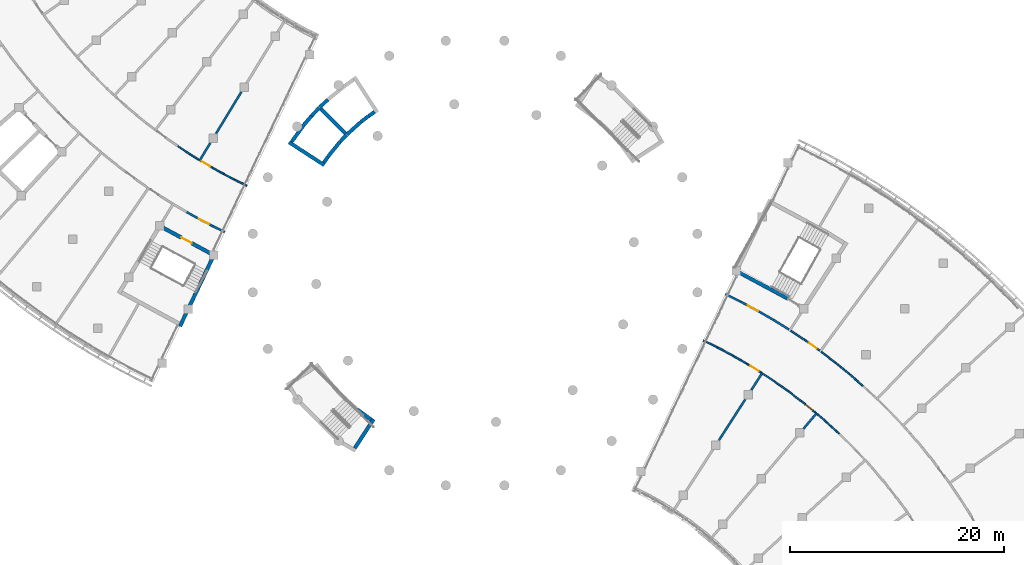
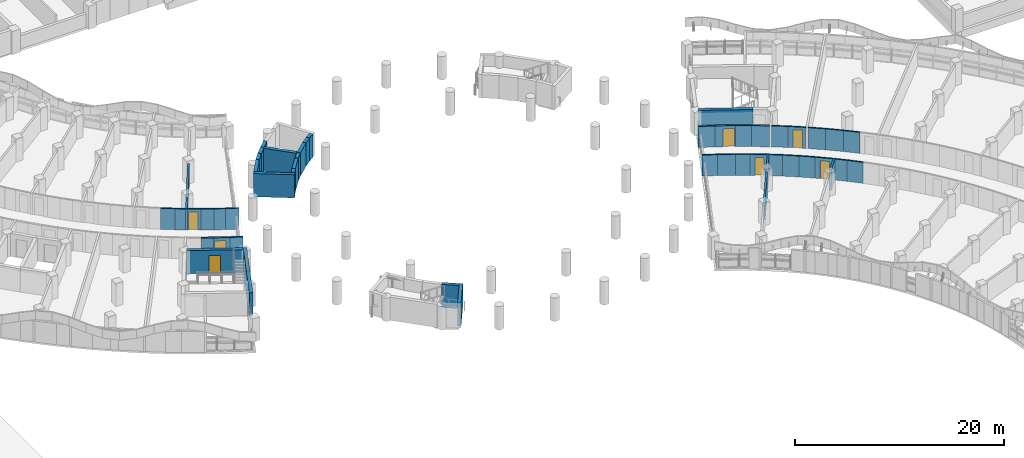
# One storey, part 40 of 89: 50 walls, 7 doors, 7 openings.
"""IFC4 building model written with IfcOpenShell, lengths in metres."""

from ifc_helpers import new_model, si_unit, direction, frame, frame_2d, origin, place, context, subcontext, project, spatial, rectangle, extrude, material, layer, layer_set, type_object, element, fill, save


model = new_model("IFC4")

# Units and contexts
model_context = context("Model", 3, precision=1e-05, world=origin(), true_north=direction((0.0, 1.0)))
body_context = subcontext(model_context, "Body", "Model", "MODEL_VIEW")
ifc_project = project(units=[si_unit("LENGTHUNIT", "METRE"), si_unit("AREAUNIT", "SQUARE_METRE"), si_unit("VOLUMEUNIT", "CUBIC_METRE"), si_unit("PLANEANGLEUNIT", "RADIAN"), si_unit("MASSUNIT", "GRAM", prefix="KILO")], contexts=[model_context])

# Site, building, storey
site_placement = place(None, origin())
site = spatial("IfcSite", under=ifc_project, at=site_placement, CompositionType="ELEMENT")
building_placement = place(site_placement, origin())
building = spatial("IfcBuilding", under=site, at=building_placement, Name="Bougainvillea Quay General Hospital", CompositionType="ELEMENT")
storey_placement = place(building_placement, frame((0.0, 0.0, 9.89990234375)))
storey = spatial("IfcBuildingStorey", under=building, at=storey_placement, Name="L01M", CompositionType="ELEMENT", Elevation=9.89990234375)

# Wall, opening, door
ifc_material_1 = material(Name="Gypsum board partition on steel studs, insulated", Category="steel")
ifc_layer_1 = layer(ifc_material_1, 0.14990234375)
ifc_layer_set_1 = layer_set([ifc_layer_1], Name="Gypsum board partition on steel studs, insulated")
wall_type_1 = type_object("IfcWallType", Name="Partition 150 Gypsum board partition EI 60", PredefinedType="PARTITIONING", material=ifc_layer_set_1)
wall_1_placement = place(storey_placement, frame((139.75, 61.074462890625, 0.0), z_axis=(0.0, 0.0, 1.0), x_axis=(0.774766206627, -0.632247835163, 0.0)))
wall_1 = element("IfcWall", 1, at=wall_1_placement, inside=storey, type_object=wall_type_1, Name="Partition 150 mm EI 60", PredefinedType="PARTITIONING", context=body_context, shape_type="SweptSolid", body=[
    extrude(rectangle(XDim=1.719970703125, YDim=0.14990234375, at=frame_2d((0.85986328125, 0.0))), origin(), (0.0, 0.0, 1.0), 2.4501953125),
])
opening_1_placement = place(wall_1_placement, frame((0.498046875, 0.0, 0.0)))
opening_1 = element("IfcOpeningElement", 2, at=opening_1_placement, cuts=wall_1, Name="Opening L01M.194", PredefinedType="OPENING", context=body_context, shape_type="SweptSolid", body=[
    extrude(rectangle(XDim=0.89990234375, YDim=2.10009765625, at=frame_2d((0.449951171875, 1.050048828125))), frame((0.0, 0.0849609375, 0.0), z_axis=(0.0, -1.0, 0.0), x_axis=(1.0, 0.0, 0.0)), (0.0, 0.0, 1.0), 0.169921875),
])
ifc_material_2 = material(Name="Solid-core timber door leaf in steel frame", Category="steel")
door_type_1 = type_object("IfcDoorType", Name="Single leaf door 900x2100 FD30S", OperationType="NOTDEFINED", PredefinedType="DOOR", material=ifc_material_2)
door_1_placement = place(opening_1_placement, frame((0.89990234375, 0.0, 0.0), z_axis=(0.0, 0.0, 1.0), x_axis=(-1.0, 0.0, 0.0)))
door_1 = element("IfcDoor", 3, at=door_1_placement, inside=storey, type_object=door_type_1, Name="DT16 L01M.194", OperationType="SINGLE_SWING_LEFT", OverallHeight=2.10009765625, OverallWidth=0.89990234375, PredefinedType="DOOR", context=body_context, shape_type="SweptSolid", body=[
    extrude(rectangle(XDim=0.89990234375, YDim=2.10009765625, at=frame_2d((0.449951171875, 1.050048828125))), frame((0.0, 0.02490234375, 0.0), z_axis=(0.0, -1.0, 0.0), x_axis=(1.0, 0.0, 0.0)), (0.0, 0.0, 1.0), 0.050048828125),
])
fill(opening_1, door_1)

# Walls
wall_2_placement = place(storey_placement, frame((141.612548828125, 65.68798828125, 0.0), z_axis=(0.0, 0.0, 1.0), x_axis=(0.79450758561, -0.607254227164, 0.0)))
element("IfcWall", 4, at=wall_2_placement, inside=storey, type_object=wall_type_1, Name="Partition 150 mm EI 60", PredefinedType="PARTITIONING", context=body_context, shape_type="SweptSolid", body=[
    extrude(rectangle(XDim=1.7119140625, YDim=0.14990234375, at=frame_2d((0.85595703125, 0.0))), origin(), (0.0, 0.0, 1.0), 2.4501953125),
])
wall_3_placement = place(storey_placement, frame((142.96923828125, 64.64794921875, 0.0), z_axis=(0.0, 0.0, 1.0), x_axis=(0.774982699897, -0.631982448221, 0.0)))
element("IfcWall", 5, at=wall_3_placement, inside=storey, type_object=wall_type_1, Name="Partition 150 mm EI 60", PredefinedType="PARTITIONING", context=body_context, shape_type="SweptSolid", body=[
    extrude(rectangle(XDim=1.738037109375, YDim=0.14990234375, at=frame_2d((0.869140625, 0.0))), origin(), (0.0, 0.0, 1.0), 2.4501953125),
])

# Wall, opening, door
wall_4_placement = place(storey_placement, frame((140.06103515625, 66.800537109375, 0.0), z_axis=(0.0, 0.0, 1.0), x_axis=(0.813617801152, -0.581400097737, 0.0)))
wall_4 = element("IfcWall", 6, at=wall_4_placement, inside=storey, type_object=wall_type_1, Name="Partition 150 mm EI 60", PredefinedType="PARTITIONING", context=body_context, shape_type="SweptSolid", body=[
    extrude(rectangle(XDim=1.711669921875, YDim=0.14990234375, at=frame_2d((0.85595703125, 0.0))), origin(), (0.0, 0.0, 1.0), 2.4501953125),
])
opening_2_placement = place(wall_4_placement, frame((0.49267578125, 0.0, 0.0)))
opening_2 = element("IfcOpeningElement", 7, at=opening_2_placement, cuts=wall_4, Name="Opening L01M.187", PredefinedType="OPENING", context=body_context, shape_type="SweptSolid", body=[
    extrude(rectangle(XDim=0.89990234375, YDim=2.10009765625, at=frame_2d((0.449951171875, 1.050048828125))), frame((0.0, 0.0849609375, 0.0), z_axis=(0.0, -1.0, 0.0), x_axis=(1.0, 0.0, 0.0)), (0.0, 0.0, 1.0), 0.169921875),
])
door_2_placement = place(opening_2_placement, origin())
door_2 = element("IfcDoor", 8, at=door_2_placement, inside=storey, type_object=door_type_1, Name="DT16 L01M.187", OperationType="SINGLE_SWING_RIGHT", OverallHeight=2.10009765625, OverallWidth=0.89990234375, PredefinedType="DOOR", context=body_context, shape_type="SweptSolid", body=[
    extrude(rectangle(XDim=0.89990234375, YDim=2.10009765625, at=frame_2d((0.449951171875, 1.050048828125))), frame((0.0, 0.02490234375, 0.0), z_axis=(0.0, -1.0, 0.0), x_axis=(1.0, 0.0, 0.0)), (0.0, 0.0, 1.0), 0.050048828125),
])
fill(opening_2, door_2)

# Walls
wall_5_placement = place(storey_placement, frame((138.76416015625, 67.6640625, 0.0), z_axis=(0.0, 0.0, 1.0), x_axis=(0.831520299658, -0.555494366539, 0.0)))
element("IfcWall", 9, at=wall_5_placement, inside=storey, type_object=wall_type_1, Name="Partition 150 mm EI 60", PredefinedType="PARTITIONING", context=body_context, shape_type="SweptSolid", body=[
    extrude(rectangle(XDim=1.560302734375, YDim=0.14990234375, at=frame_2d((0.7802734375, 0.0))), origin(), (0.0, 0.0, 1.0), 2.4501953125),
])
wall_6_placement = place(storey_placement, frame((144.312744140625, 63.54931640625, 0.0), z_axis=(0.0, 0.0, 1.0), x_axis=(0.754390611031, -0.656425781021, 0.0)))
element("IfcWall", 10, at=wall_6_placement, inside=storey, type_object=wall_type_1, Name="Partition 150 mm EI 60", PredefinedType="PARTITIONING", context=body_context, shape_type="SweptSolid", body=[
    extrude(rectangle(XDim=1.590087890625, YDim=0.14990234375, at=frame_2d((0.794921875, 0.0))), origin(), (0.0, 0.0, 1.0), 2.4501953125),
])

# Wall, opening, door
wall_7_placement = place(storey_placement, frame((134.609375, 64.59765625, 0.0), z_axis=(0.0, 0.0, 1.0), x_axis=(0.848764734554, -0.528770673711, 0.0)))
wall_7 = element("IfcWall", 11, at=wall_7_placement, inside=storey, type_object=wall_type_1, Name="Partition 150 mm EI 60", PredefinedType="PARTITIONING", context=body_context, shape_type="SweptSolid", body=[
    extrude(rectangle(XDim=1.626708984375, YDim=0.14990234375, at=frame_2d((0.8134765625, 0.0))), origin(), (0.0, 0.0, 1.0), 2.4501953125),
])
opening_3_placement = place(wall_7_placement, frame((0.451416015625, 0.0, 0.0)))
opening_3 = element("IfcOpeningElement", 12, at=opening_3_placement, cuts=wall_7, Name="Opening L01M.193", PredefinedType="OPENING", context=body_context, shape_type="SweptSolid", body=[
    extrude(rectangle(XDim=0.89990234375, YDim=2.10009765625, at=frame_2d((0.449951171875, 1.050048828125))), frame((0.0, 0.0849609375, 0.0), z_axis=(0.0, -1.0, 0.0), x_axis=(1.0, 0.0, 0.0)), (0.0, 0.0, 1.0), 0.169921875),
])
door_3_placement = place(opening_3_placement, frame((0.89990234375, 0.0, 0.0), z_axis=(0.0, 0.0, 1.0), x_axis=(-1.0, 0.0, 0.0)))
door_3 = element("IfcDoor", 13, at=door_3_placement, inside=storey, type_object=door_type_1, Name="DT16 L01M.193", OperationType="SINGLE_SWING_LEFT", OverallHeight=2.10009765625, OverallWidth=0.89990234375, PredefinedType="DOOR", context=body_context, shape_type="SweptSolid", body=[
    extrude(rectangle(XDim=0.89990234375, YDim=2.10009765625, at=frame_2d((0.449951171875, 1.050048828125))), frame((0.0, 0.02490234375, 0.0), z_axis=(0.0, -1.0, 0.0), x_axis=(1.0, 0.0, 0.0)), (0.0, 0.0, 1.0), 0.050048828125),
])
fill(opening_3, door_3)

# Walls
wall_8_placement = place(storey_placement, frame((138.50634765625, 62.015380859375, 0.0), z_axis=(0.0, 0.0, 1.0), x_axis=(0.7964030968, -0.604766159278, 0.0)))
element("IfcWall", 14, at=wall_8_placement, inside=storey, type_object=wall_type_1, Name="Partition 150 mm EI 60", PredefinedType="PARTITIONING", context=body_context, shape_type="SweptSolid", body=[
    extrude(rectangle(XDim=1.56201171875, YDim=0.14990234375, at=frame_2d((0.781005859375, 0.0))), origin(), (0.0, 0.0, 1.0), 2.4501953125),
])
wall_9_placement = place(storey_placement, frame((131.8828125, 66.110595703125, 0.0), z_axis=(0.0, 0.0, 1.0), x_axis=(0.881203803206, -0.472736562174, 0.0)))
element("IfcWall", 15, at=wall_9_placement, inside=storey, type_object=wall_type_1, Name="Partition 150 mm EI 60", PredefinedType="PARTITIONING", context=body_context, shape_type="SweptSolid", body=[
    extrude(rectangle(XDim=1.70947265625, YDim=0.14990234375, at=frame_2d((0.854736328125, 0.0))), origin(), (0.0, 0.0, 1.0), 2.4501953125),
])
wall_10_placement = place(storey_placement, frame((133.385986328125, 65.301513671875, 0.0), z_axis=(0.0, 0.0, 1.0), x_axis=(0.865863410923, -0.500280474959, 0.0)))
element("IfcWall", 16, at=wall_10_placement, inside=storey, type_object=wall_type_1, Name="Partition 150 mm EI 60", PredefinedType="PARTITIONING", context=body_context, shape_type="SweptSolid", body=[
    extrude(rectangle(XDim=1.413818359375, YDim=0.14990234375, at=frame_2d((0.70703125, 0.0))), origin(), (0.0, 0.0, 1.0), 2.4501953125),
])
wall_11_placement = place(storey_placement, frame((142.143798828125, 59.076904296875, 0.0), z_axis=(0.0, 0.0, 1.0), x_axis=(0.735666067582, -0.677344400588, 0.0)))
element("IfcWall", 17, at=wall_11_placement, inside=storey, type_object=wall_type_1, Name="Partition 150 mm EI 60", PredefinedType="PARTITIONING", context=body_context, shape_type="SweptSolid", body=[
    extrude(rectangle(XDim=1.5615234375, YDim=0.14990234375, at=frame_2d((0.78076171875, 0.0))), origin(), (0.0, 0.0, 1.0), 2.4501953125),
])
wall_12_placement = place(storey_placement, frame((130.552978515625, 66.76806640625, 0.0), z_axis=(0.0, 0.0, 1.0), x_axis=(0.895705209278, -0.444648375767, 0.0)))
element("IfcWall", 18, at=wall_12_placement, inside=storey, type_object=wall_type_1, Name="Partition 150 mm EI 60", PredefinedType="PARTITIONING", context=body_context, shape_type="SweptSolid", body=[
    extrude(rectangle(XDim=1.48583984375, YDim=0.14990234375, at=frame_2d((0.742919921875, 0.0))), origin(), (0.0, 0.0, 1.0), 2.4501953125),
])
wall_13_placement = place(storey_placement, frame((137.23486328125, 62.91650390625, 0.0), z_axis=(0.0, 0.0, 1.0), x_axis=(0.814968460536, -0.579505313462, 0.0)))
element("IfcWall", 19, at=wall_13_placement, inside=storey, type_object=wall_type_1, Name="Partition 150 mm EI 60", PredefinedType="PARTITIONING", context=body_context, shape_type="SweptSolid", body=[
    extrude(rectangle(XDim=1.560546875, YDim=0.14990234375, at=frame_2d((0.7802734375, 0.0))), origin(), (0.0, 0.0, 1.0), 2.4501953125),
])
wall_14_placement = place(storey_placement, frame((136.16015625, 63.628173828125, 0.0), z_axis=(0.0, 0.0, 1.0), x_axis=(0.832747809915, -0.553652494875, 0.0)))
element("IfcWall", 20, at=wall_14_placement, inside=storey, type_object=wall_type_1, Name="Partition 150 mm EI 60", PredefinedType="PARTITIONING", context=body_context, shape_type="SweptSolid", body=[
    extrude(rectangle(XDim=1.291259765625, YDim=0.14990234375, at=frame_2d((0.6455078125, 0.0))), origin(), (0.0, 0.0, 1.0), 2.4501953125),
])
wall_15_placement = place(storey_placement, frame((141.2373046875, 59.85693359375, 0.0), z_axis=(0.0, 0.0, 1.0), x_axis=(0.756676395085, -0.653789593922, 0.0)))
element("IfcWall", 21, at=wall_15_placement, inside=storey, type_object=wall_type_1, Name="Partition 150 mm EI 60", PredefinedType="PARTITIONING", context=body_context, shape_type="SweptSolid", body=[
    extrude(rectangle(XDim=1.1982421875, YDim=0.14990234375, at=frame_2d((0.59912109375, 0.0))), origin(), (0.0, 0.0, 1.0), 2.4501953125),
])

# Wall, opening, door
wall_16_placement = place(storey_placement, frame((83.510986328125, 83.57373046875, 0.0), z_axis=(0.0, 0.0, 1.0), x_axis=(0.861035979, -0.50854404221, 0.0)))
wall_16 = element("IfcWall", 22, at=wall_16_placement, inside=storey, type_object=wall_type_1, Name="Partition 150 mm EI 60", PredefinedType="PARTITIONING", context=body_context, shape_type="SweptSolid", body=[
    extrude(rectangle(XDim=1.28759765625, YDim=0.14990234375, at=frame_2d((0.643798828125, 0.0))), origin(), (0.0, 0.0, 1.0), 2.4501953125),
])
opening_4_placement = place(wall_16_placement, frame((0.105712890625, 0.0, 0.0)))
opening_4 = element("IfcOpeningElement", 23, at=opening_4_placement, cuts=wall_16, Name="Opening L01M.178", PredefinedType="OPENING", context=body_context, shape_type="SweptSolid", body=[
    extrude(rectangle(XDim=0.89990234375, YDim=2.10009765625, at=frame_2d((0.449951171875, 1.050048828125))), frame((0.0, 0.0849609375, 0.0), z_axis=(0.0, -1.0, 0.0), x_axis=(1.0, 0.0, 0.0)), (0.0, 0.0, 1.0), 0.169921875),
])
door_4_placement = place(opening_4_placement, origin())
door_4 = element("IfcDoor", 24, at=door_4_placement, inside=storey, type_object=door_type_1, Name="DT16 L01M.178", OperationType="SINGLE_SWING_LEFT", OverallHeight=2.10009765625, OverallWidth=0.89990234375, PredefinedType="DOOR", context=body_context, shape_type="SweptSolid", body=[
    extrude(rectangle(XDim=0.89990234375, YDim=2.10009765625, at=frame_2d((0.449951171875, 1.050048828125))), frame((0.0, 0.02490234375, 0.0), z_axis=(0.0, -1.0, 0.0), x_axis=(1.0, 0.0, 0.0)), (0.0, 0.0, 1.0), 0.050048828125),
])
fill(opening_4, door_4)

# Walls
wall_17_placement = place(storey_placement, frame((81.33837890625, 84.96533203125, 0.0), z_axis=(0.0, 0.0, 1.0), x_axis=(0.834958204617, -0.550313362134, 0.0)))
element("IfcWall", 25, at=wall_17_placement, inside=storey, type_object=wall_type_1, Name="Partition 150 mm EI 60", PredefinedType="PARTITIONING", context=body_context, shape_type="SweptSolid", body=[
    extrude(rectangle(XDim=1.389404296875, YDim=0.14990234375, at=frame_2d((0.69482421875, 0.0))), origin(), (0.0, 0.0, 1.0), 2.4501953125),
])
wall_18_placement = place(storey_placement, frame((86.667724609375, 81.81201171875, 0.0), z_axis=(0.0, 0.0, 1.0), x_axis=(0.89730654261, -0.441407938973, 0.0)))
element("IfcWall", 26, at=wall_18_placement, inside=storey, type_object=wall_type_1, Name="Partition 150 mm EI 60", PredefinedType="PARTITIONING", context=body_context, shape_type="SweptSolid", body=[
    extrude(rectangle(XDim=1.314208984375, YDim=0.14990234375, at=frame_2d((0.6572265625, 0.0))), origin(), (0.0, 0.0, 1.0), 2.4501953125),
])
wall_19_placement = place(storey_placement, frame((84.618896484375, 82.92138671875, 0.0), z_axis=(0.0, 0.0, 1.0), x_axis=(0.87410159015, -0.485743152393, 0.0)))
element("IfcWall", 27, at=wall_19_placement, inside=storey, type_object=wall_type_1, Name="Partition 150 mm EI 60", PredefinedType="PARTITIONING", context=body_context, shape_type="SweptSolid", body=[
    extrude(rectangle(XDim=1.240966796875, YDim=0.14990234375, at=frame_2d((0.62060546875, 0.0))), origin(), (0.0, 0.0, 1.0), 2.4501953125),
])
wall_20_placement = place(storey_placement, frame((85.702880859375, 82.32080078125, 0.0), z_axis=(0.0, 0.0, 1.0), x_axis=(0.885450771391, -0.464733183067, 0.0)))
element("IfcWall", 28, at=wall_20_placement, inside=storey, type_object=wall_type_1, Name="Partition 150 mm EI 60", PredefinedType="PARTITIONING", context=body_context, shape_type="SweptSolid", body=[
    extrude(rectangle(XDim=1.0927734375, YDim=0.14990234375, at=frame_2d((0.54638671875, 0.0))), origin(), (0.0, 0.0, 1.0), 2.4501953125),
])
wall_21_placement = place(storey_placement, frame((82.498046875, 84.203125, 0.0), z_axis=(0.0, 0.0, 1.0), x_axis=(0.848247419526, -0.52960014659, 0.0)))
element("IfcWall", 29, at=wall_21_placement, inside=storey, type_object=wall_type_1, Name="Partition 150 mm EI 60", PredefinedType="PARTITIONING", context=body_context, shape_type="SweptSolid", body=[
    extrude(rectangle(XDim=0.99072265625, YDim=0.14990234375, at=frame_2d((0.495361328125, 0.0))), origin(), (0.0, 0.0, 1.0), 2.4501953125),
])
ifc_material_3 = material(Name="Fire-rated autoclaved aerated block wall, plastered")
ifc_layer_2 = layer(ifc_material_3, 0.199951171875)
ifc_layer_set_2 = layer_set([ifc_layer_2], Name="Fire-rated autoclaved aerated block wall, plastered")
wall_type_2 = type_object("IfcWallType", Name="Partition 200 Fire-rated autoclaved aerated block wall EI 120", PredefinedType="SOLIDWALL", material=ifc_layer_set_2)
wall_22_placement = place(storey_placement, frame((137.1201171875, 68.69091796875, 0.0), z_axis=(0.0, 0.0, 1.0), x_axis=(0.849072037542, -0.528277081714, 0.0)))
element("IfcWall", 30, at=wall_22_placement, inside=storey, type_object=wall_type_2, Name="Partition 200 mm EI 120", PredefinedType="SOLIDWALL", context=body_context, shape_type="SweptSolid", body=[
    extrude(rectangle(XDim=1.734375, YDim=0.199951171875, at=frame_2d((0.8671875, 0.0))), origin(), (0.0, 0.0, 1.0), 2.4501953125),
])

# Wall, opening, door
wall_23_placement = place(storey_placement, frame((134.0859375, 70.37646484375, 0.0), z_axis=(0.0, 0.0, 1.0), x_axis=(0.880766540035, -0.473550738521, 0.0)))
wall_23 = element("IfcWall", 31, at=wall_23_placement, inside=storey, type_object=wall_type_2, Name="Partition 200 mm EI 120", PredefinedType="SOLIDWALL", context=body_context, shape_type="SweptSolid", body=[
    extrude(rectangle(XDim=1.935791015625, YDim=0.199951171875, at=frame_2d((0.9677734375, 0.0))), origin(), (0.0, 0.0, 1.0), 2.4501953125),
])
opening_5_placement = place(wall_23_placement, frame((0.736083984375, 0.0, 0.0)))
opening_5 = element("IfcOpeningElement", 32, at=opening_5_placement, cuts=wall_23, Name="Opening L01M.221", PredefinedType="OPENING", context=body_context, shape_type="SweptSolid", body=[
    extrude(rectangle(XDim=1.10009765625, YDim=2.10009765625, at=frame_2d((0.550048828125, 1.050048828125))), frame((0.0, 0.10986328125, 0.0), z_axis=(0.0, -1.0, 0.0), x_axis=(1.0, 0.0, 0.0)), (0.0, 0.0, 1.0), 0.219970703125),
])
ifc_material_4 = material(Name="Steel fire door leaf in steel frame", Category="steel")
door_type_2 = type_object("IfcDoorType", Name="Steel single leaf door 1100x2100 FD60", OperationType="NOTDEFINED", PredefinedType="DOOR", material=ifc_material_4)
door_5_placement = place(opening_5_placement, origin())
door_5 = element("IfcDoor", 33, at=door_5_placement, inside=storey, type_object=door_type_2, Name="DT04 L01M.221", OperationType="SINGLE_SWING_RIGHT", OverallHeight=2.10009765625, OverallWidth=1.10009765625, PredefinedType="DOOR", context=body_context, shape_type="SweptSolid", body=[
    extrude(rectangle(XDim=1.10009765625, YDim=2.10009765625, at=frame_2d((0.550048828125, 1.050048828125))), frame((0.0, 0.02490234375, 0.0), z_axis=(0.0, -1.0, 0.0), x_axis=(1.0, 0.0, 0.0)), (0.0, 0.0, 1.0), 0.050048828125),
])
fill(opening_5, door_5)

# Walls
wall_24_placement = place(storey_placement, frame((135.786865234375, 69.45849609375, 0.0), z_axis=(0.0, 0.0, 1.0), x_axis=(0.865559992514, -0.50080525093, 0.0)))
element("IfcWall", 34, at=wall_24_placement, inside=storey, type_object=wall_type_2, Name="Partition 200 mm EI 120", PredefinedType="SOLIDWALL", context=body_context, shape_type="SweptSolid", body=[
    extrude(rectangle(XDim=1.54150390625, YDim=0.199951171875, at=frame_2d((0.770751953125, 0.0))), origin(), (0.0, 0.0, 1.0), 2.4501953125),
])
wall_25_placement = place(storey_placement, frame((132.6201171875, 71.10107421875, 0.0), z_axis=(0.0, 0.0, 1.0), x_axis=(0.895527300844, -0.445006576855, 0.0)))
element("IfcWall", 35, at=wall_25_placement, inside=storey, type_object=wall_type_2, Name="Partition 200 mm EI 120", PredefinedType="SOLIDWALL", context=body_context, shape_type="SweptSolid", body=[
    extrude(rectangle(XDim=1.63818359375, YDim=0.199951171875, at=frame_2d((0.819091796875, 0.0))), origin(), (0.0, 0.0, 1.0), 2.4501953125),
])

# Wall, opening, door
wall_26_placement = place(storey_placement, frame((83.232421875, 78.196533203125, 0.0), z_axis=(0.0, 0.0, 1.0), x_axis=(0.885510751813, -0.464618885134, 0.0)))
wall_26 = element("IfcWall", 36, at=wall_26_placement, inside=storey, type_object=wall_type_2, Name="Partition 200 mm EI 120", PredefinedType="SOLIDWALL", context=body_context, shape_type="SweptSolid", body=[
    extrude(rectangle(XDim=1.580078125, YDim=0.199951171875, at=frame_2d((0.7900390625, 0.0))), origin(), (0.0, 0.0, 1.0), 2.4501953125),
])
opening_6_placement = place(wall_26_placement, frame((0.10009765625, 0.0, 0.0)))
opening_6 = element("IfcOpeningElement", 37, at=opening_6_placement, cuts=wall_26, Name="Opening L01M.217", PredefinedType="OPENING", context=body_context, shape_type="SweptSolid", body=[
    extrude(rectangle(XDim=1.10009765625, YDim=2.10009765625, at=frame_2d((0.550048828125, 1.050048828125))), frame((0.0, 0.10986328125, 0.0), z_axis=(0.0, -1.0, 0.0), x_axis=(1.0, 0.0, 0.0)), (0.0, 0.0, 1.0), 0.219970703125),
])
door_6_placement = place(opening_6_placement, frame((1.10009765625, 0.0, 0.0), z_axis=(0.0, 0.0, 1.0), x_axis=(-1.0, 0.0, 0.0)))
door_6 = element("IfcDoor", 38, at=door_6_placement, inside=storey, type_object=door_type_2, Name="DT04 L01M.217", OperationType="SINGLE_SWING_RIGHT", OverallHeight=2.10009765625, OverallWidth=1.10009765625, PredefinedType="DOOR", context=body_context, shape_type="SweptSolid", body=[
    extrude(rectangle(XDim=1.10009765625, YDim=2.10009765625, at=frame_2d((0.550048828125, 1.050048828125))), frame((0.0, 0.02490234375, 0.0), z_axis=(0.0, -1.0, 0.0), x_axis=(1.0, 0.0, 0.0)), (0.0, 0.0, 1.0), 0.050048828125),
])
fill(opening_6, door_6)

# Walls
wall_27_placement = place(storey_placement, frame((84.630615234375, 77.4658203125, 0.0), z_axis=(0.0, 0.0, 1.0), x_axis=(0.896852237177, -0.442330266509, 0.0)))
element("IfcWall", 39, at=wall_27_placement, inside=storey, type_object=wall_type_2, Name="Partition 200 mm EI 120", PredefinedType="SOLIDWALL", context=body_context, shape_type="SweptSolid", body=[
    extrude(rectangle(XDim=1.281494140625, YDim=0.199951171875, at=frame_2d((0.640625, 0.0))), origin(), (0.0, 0.0, 1.0), 2.4501953125),
])
wall_28_placement = place(storey_placement, frame((82.201171875, 78.773681640625, 0.0), z_axis=(0.0, 0.0, 1.0), x_axis=(0.873621822139, -0.486605499232, 0.0)))
element("IfcWall", 40, at=wall_28_placement, inside=storey, type_object=wall_type_2, Name="Partition 200 mm EI 120", PredefinedType="SOLIDWALL", context=body_context, shape_type="SweptSolid", body=[
    extrude(rectangle(XDim=1.18408203125, YDim=0.199951171875, at=frame_2d((0.592041015625, 0.0))), origin(), (0.0, 0.0, 1.0), 2.4501953125),
])
ifc_layer_3 = layer(ifc_material_3, 0.199951171875)
ifc_layer_set_3 = layer_set([ifc_layer_3], Name="Fire-rated autoclaved aerated block wall, plastered")
wall_type_3 = type_object("IfcWallType", Name="Partition 200 Fire-rated autoclaved aerated block wall EI 60", PredefinedType="SOLIDWALL", material=ifc_layer_set_3)
wall_29_placement = place(storey_placement, frame((83.385009765625, 83.560791015625, 0.0), z_axis=(0.0, 0.0, 1.0), x_axis=(0.519576893049, 0.854423695955, 0.0)))
element("IfcWall", 41, at=wall_29_placement, inside=storey, type_object=wall_type_3, Name="Partition 200 mm EI 60", PredefinedType="SOLIDWALL", context=body_context, shape_type="SweptSolid", body=[
    extrude(rectangle(XDim=1.94677734375, YDim=0.199951171875, at=frame_2d((0.973388671875, 0.0))), origin(), (0.0, 0.0, 1.0), 2.4501953125),
])
wall_30_placement = place(storey_placement, frame((84.9453125, 86.1259765625, 0.0), z_axis=(0.0, 0.0, 1.0), x_axis=(0.51963838238, 0.854386301129, 0.0)))
element("IfcWall", 42, at=wall_30_placement, inside=storey, type_object=wall_type_3, Name="Partition 200 mm EI 60", PredefinedType="SOLIDWALL", context=body_context, shape_type="SweptSolid", body=[
    extrude(rectangle(XDim=4.543701171875, YDim=0.199951171875, at=frame_2d((2.27197265625, 0.0))), origin(), (0.0, 0.0, 1.0), 2.4501953125),
])
wall_31_placement = place(storey_placement, frame((132.034912109375, 57.416015625, 0.0), z_axis=(0.0, 0.0, 1.0), x_axis=(0.541848858542, 0.840475945222, 0.0)))
element("IfcWall", 43, at=wall_31_placement, inside=storey, type_object=wall_type_3, Name="Partition 200 mm EI 60", PredefinedType="SOLIDWALL", context=body_context, shape_type="SweptSolid", body=[
    extrude(rectangle(XDim=4.52099609375, YDim=0.199951171875, at=frame_2d((2.260498046875, 0.0))), origin(), (0.0, 0.0, 1.0), 2.4501953125),
])
wall_32_placement = place(storey_placement, frame((135.069091796875, 62.1220703125, 0.0), z_axis=(0.0, 0.0, 1.0), x_axis=(0.54184209574, 0.840480305114, 0.0)))
element("IfcWall", 44, at=wall_32_placement, inside=storey, type_object=wall_type_3, Name="Partition 200 mm EI 60", PredefinedType="SOLIDWALL", context=body_context, shape_type="SweptSolid", body=[
    extrude(rectangle(XDim=1.933349609375, YDim=0.199951171875, at=frame_2d((0.966796875, 0.0))), origin(), (0.0, 0.0, 1.0), 2.4501953125),
])
wall_33_placement = place(storey_placement, frame((139.943115234375, 58.477783203125, 0.0), z_axis=(0.0, 0.0, 1.0), x_axis=(0.64440355644, 0.7646855932, 0.0)))
element("IfcWall", 45, at=wall_33_placement, inside=storey, type_object=wall_type_3, Name="Partition 200 mm EI 60", PredefinedType="SOLIDWALL", context=body_context, shape_type="SweptSolid", body=[
    extrude(rectangle(XDim=1.96484375, YDim=0.199951171875, at=frame_2d((0.982421875, 0.0))), origin(), (0.0, 0.0, 1.0), 2.4501953125),
])
ifc_material_5 = material(Name="Concrete C40", Category="concrete")
ifc_layer_4 = layer(ifc_material_5, 0.35009765625)
ifc_layer_set_4 = layer_set([ifc_layer_4], Name="Concrete C40")
wall_type_4 = type_object("IfcWallType", Name="RC SHEAR WALL 350 C40", PredefinedType="SHEAR", material=ifc_layer_set_4)
wall_34_placement = place(storey_placement, frame((81.571533203125, 68.0771484375, 0.0), z_axis=(0.0, 0.0, 1.0), x_axis=(0.430592498036, 0.90254645345, 0.0)))
element("IfcWall", 46, at=wall_34_placement, inside=storey, type_object=wall_type_4, Name="Shear wall L01M", PredefinedType="SHEAR", context=body_context, shape_type="SweptSolid", body=[
    extrude(rectangle(XDim=7.549560546875, YDim=0.35009765625, at=frame_2d((3.77490234375, 0.0))), origin(), (0.0, 0.0, 1.0), 2.7001953125),
])

# Wall, opening, door
wall_35_placement = place(storey_placement, frame((84.593017578125, 74.816162109375, 0.0), z_axis=(0.0, 0.0, 1.0), x_axis=(-0.879585553739, 0.475740742058, 0.0)))
wall_35 = element("IfcWall", 47, at=wall_35_placement, inside=storey, type_object=wall_type_4, Name="Shear wall L01M", PredefinedType="SHEAR", context=body_context, shape_type="SweptSolid", body=[
    extrude(rectangle(XDim=5.409423828125, YDim=0.35009765625, at=frame_2d((2.70458984375, 0.0))), origin(), (0.0, 0.0, 1.0), 2.7001953125),
])
opening_7_placement = place(wall_35_placement, frame((2.173828125, 0.0, 0.0)))
opening_7 = element("IfcOpeningElement", 48, at=opening_7_placement, cuts=wall_35, Name="Opening L01M.216", PredefinedType="OPENING", context=body_context, shape_type="SweptSolid", body=[
    extrude(rectangle(XDim=1.10009765625, YDim=2.10009765625, at=frame_2d((0.550048828125, 1.050048828125))), frame((0.0, 0.18505859375, 0.0), z_axis=(0.0, -1.0, 0.0), x_axis=(1.0, 0.0, 0.0)), (0.0, 0.0, 1.0), 0.3701171875),
])
door_7_placement = place(opening_7_placement, origin())
door_7 = element("IfcDoor", 49, at=door_7_placement, inside=storey, type_object=door_type_2, Name="DT04 L01M.216", OperationType="SINGLE_SWING_RIGHT", OverallHeight=2.10009765625, OverallWidth=1.10009765625, PredefinedType="DOOR", context=body_context, shape_type="SweptSolid", body=[
    extrude(rectangle(XDim=1.10009765625, YDim=2.10009765625, at=frame_2d((0.550048828125, 1.050048828125))), frame((0.0, 0.02490234375, 0.0), z_axis=(0.0, -1.0, 0.0), x_axis=(1.0, 0.0, 0.0)), (0.0, 0.0, 1.0), 0.050048828125),
])
fill(opening_7, door_7)

# Walls
wall_36_placement = place(storey_placement, frame((91.776123046875, 85.315185546875, 0.0), z_axis=(0.0, 0.0, 1.0), x_axis=(0.838710342359, -0.544577782893, 0.0)))
element("IfcWall", 50, at=wall_36_placement, inside=storey, type_object=wall_type_4, Name="Shear wall L01M", PredefinedType="SHEAR", context=body_context, shape_type="SweptSolid", body=[
    extrude(rectangle(XDim=3.950927734375, YDim=0.35009765625, at=frame_2d((1.9755859375, 0.0))), origin(), (0.0, 0.0, 1.0), 2.7001953125),
])
wall_37_placement = place(storey_placement, frame((93.18701171875, 86.95849609375, 0.0), z_axis=(0.0, 0.0, 1.0), x_axis=(-0.588083467619, -0.808800244259, 0.0)))
element("IfcWall", 51, at=wall_37_placement, inside=storey, type_object=wall_type_4, Name="Shear wall L01M", PredefinedType="SHEAR", context=body_context, shape_type="SweptSolid", body=[
    extrude(rectangle(XDim=1.974365234375, YDim=0.35009765625, at=frame_2d((0.9873046875, 0.0))), origin(), (0.0, 0.0, 1.0), 2.7001953125),
])
wall_38_placement = place(storey_placement, frame((93.1953125, 86.96923828125, 0.0), z_axis=(0.0, 0.0, 1.0), x_axis=(0.649301127712, 0.760531423119, 0.0)))
element("IfcWall", 52, at=wall_38_placement, inside=storey, type_object=wall_type_4, Name="Shear wall L01M", PredefinedType="SHEAR", context=body_context, shape_type="SweptSolid", body=[
    extrude(rectangle(XDim=1.066650390625, YDim=0.35009765625, at=frame_2d((0.533203125, 0.0))), origin(), (0.0, 0.0, 1.0), 2.7001953125),
])
wall_39_placement = place(storey_placement, frame((93.894287109375, 87.787353515625, 0.0), z_axis=(0.0, 0.0, 1.0), x_axis=(0.688725463476, 0.725022231356, 0.0)))
element("IfcWall", 53, at=wall_39_placement, inside=storey, type_object=wall_type_4, Name="Shear wall L01M", PredefinedType="SHEAR", context=body_context, shape_type="SweptSolid", body=[
    extrude(rectangle(XDim=1.069580078125, YDim=0.35009765625, at=frame_2d((0.53466796875, 0.0))), origin(), (0.0, 0.0, 1.0), 2.7001953125),
])
wall_40_placement = place(storey_placement, frame((94.63720703125, 88.569091796875, 0.0), z_axis=(0.0, 0.0, 1.0), x_axis=(0.724948027673, 0.688803569367, 0.0)))
element("IfcWall", 54, at=wall_40_placement, inside=storey, type_object=wall_type_4, Name="Shear wall L01M", PredefinedType="SHEAR", context=body_context, shape_type="SweptSolid", body=[
    extrude(rectangle(XDim=1.067138671875, YDim=0.35009765625, at=frame_2d((0.53369140625, 0.0))), origin(), (0.0, 0.0, 1.0), 2.7001953125),
])
wall_41_placement = place(storey_placement, frame((94.7578125, 88.442138671875, 0.0), z_axis=(0.0, 0.0, 1.0), x_axis=(0.707106781187, -0.707106781187, 0.0)))
element("IfcWall", 55, at=wall_41_placement, inside=storey, type_object=wall_type_4, Name="Shear wall L01M", PredefinedType="SHEAR", context=body_context, shape_type="SweptSolid", body=[
    extrude(rectangle(XDim=3.2490234375, YDim=0.35009765625, at=frame_2d((1.62451171875, 0.0))), origin(), (0.0, 0.0, 1.0), 2.7001953125),
])
wall_42_placement = place(storey_placement, frame((95.042236328125, 83.4033203125, 0.0), z_axis=(0.0, 0.0, 1.0), x_axis=(0.566587399165, 0.824001649942, 0.0)))
element("IfcWall", 56, at=wall_42_placement, inside=storey, type_object=wall_type_4, Name="Shear wall L01M", PredefinedType="SHEAR", context=body_context, shape_type="SweptSolid", body=[
    extrude(rectangle(XDim=0.70751953125, YDim=0.35009765625, at=frame_2d((0.353759765625, 0.0))), origin(), (0.0, 0.0, 1.0), 2.7001953125),
])
wall_43_placement = place(storey_placement, frame((95.451416015625, 83.997314453125, 0.0), z_axis=(0.0, 0.0, 1.0), x_axis=(0.629337420675, 0.777132170829, 0.0)))
element("IfcWall", 57, at=wall_43_placement, inside=storey, type_object=wall_type_4, Name="Shear wall L01M", PredefinedType="SHEAR", context=body_context, shape_type="SweptSolid", body=[
    extrude(rectangle(XDim=1.765869140625, YDim=0.35009765625, at=frame_2d((0.8828125, 0.0))), origin(), (0.0, 0.0, 1.0), 2.7001953125),
])
wall_44_placement = place(storey_placement, frame((96.57177734375, 85.3798828125, 0.0), z_axis=(0.0, 0.0, 1.0), x_axis=(0.687613208908, 0.726077182491, 0.0)))
element("IfcWall", 58, at=wall_44_placement, inside=storey, type_object=wall_type_4, Name="Shear wall L01M", PredefinedType="SHEAR", context=body_context, shape_type="SweptSolid", body=[
    extrude(rectangle(XDim=0.8759765625, YDim=0.35009765625, at=frame_2d((0.43798828125, 0.0))), origin(), (0.0, 0.0, 1.0), 2.7001953125),
])
wall_45_placement = place(storey_placement, frame((97.18408203125, 86.025634765625, 0.0), z_axis=(0.0, 0.0, 1.0), x_axis=(0.743452252039, 0.668789016759, 0.0)))
element("IfcWall", 59, at=wall_45_placement, inside=storey, type_object=wall_type_4, Name="Shear wall L01M", PredefinedType="SHEAR", context=body_context, shape_type="SweptSolid", body=[
    extrude(rectangle(XDim=1.765625, YDim=0.35009765625, at=frame_2d((0.8828125, 0.0))), origin(), (0.0, 0.0, 1.0), 2.7001953125),
])
wall_46_placement = place(storey_placement, frame((97.9404296875, 56.661865234375, 0.0), z_axis=(0.0, 0.0, 1.0), x_axis=(0.544615743299, 0.838685693303, 0.0)))
element("IfcWall", 60, at=wall_46_placement, inside=storey, type_object=wall_type_4, Name="Shear wall L01M", PredefinedType="SHEAR", context=body_context, shape_type="SweptSolid", body=[
    extrude(rectangle(XDim=3.247802734375, YDim=0.35009765625, at=frame_2d((1.6240234375, 0.0))), origin(), (0.0, 0.0, 1.0), 2.7001953125),
])
wall_47_placement = place(storey_placement, frame((98.50732421875, 87.215087890625, 0.0), z_axis=(0.0, 0.0, 1.0), x_axis=(0.793181366791, 0.608985483715, 0.0)))
element("IfcWall", 61, at=wall_47_placement, inside=storey, type_object=wall_type_4, Name="Shear wall L01M", PredefinedType="SHEAR", context=body_context, shape_type="SweptSolid", body=[
    extrude(rectangle(XDim=0.878662109375, YDim=0.35009765625, at=frame_2d((0.439453125, 0.0))), origin(), (0.0, 0.0, 1.0), 2.7001953125),
])
wall_48_placement = place(storey_placement, frame((99.211669921875, 87.755615234375, 0.0), z_axis=(0.0, 0.0, 1.0), x_axis=(0.824031893461, 0.566543412776, 0.0)))
element("IfcWall", 62, at=wall_48_placement, inside=storey, type_object=wall_type_4, Name="Shear wall L01M", PredefinedType="SHEAR", context=body_context, shape_type="SweptSolid", body=[
    extrude(rectangle(XDim=0.710205078125, YDim=0.35009765625, at=frame_2d((0.35498046875, 0.0))), origin(), (0.0, 0.0, 1.0), 2.7001953125),
])
wall_49_placement = place(storey_placement, frame((99.472412109375, 59.341796875, 0.0), z_axis=(0.0, 0.0, 1.0), x_axis=(-0.808869786542, 0.587987813155, 0.0)))
element("IfcWall", 63, at=wall_49_placement, inside=storey, type_object=wall_type_4, Name="Shear wall L01M", PredefinedType="SHEAR", context=body_context, shape_type="SweptSolid", body=[
    extrude(rectangle(XDim=1.657958984375, YDim=0.35009765625, at=frame_2d((0.8291015625, 0.0))), origin(), (0.0, 0.0, 1.0), 2.7001953125),
])
wall_50_placement = place(storey_placement, frame((138.43603515625, 70.69775390625, 0.0), z_axis=(0.0, 0.0, 1.0), x_axis=(-0.880959996263, 0.473190749048, 0.0)))
element("IfcWall", 64, at=wall_50_placement, inside=storey, type_object=wall_type_4, Name="Shear wall L01M", PredefinedType="SHEAR", context=body_context, shape_type="SweptSolid", body=[
    extrude(rectangle(XDim=5.25439453125, YDim=0.35009765625, at=frame_2d((2.627197265625, 0.0))), origin(), (0.0, 0.0, 1.0), 2.7001953125),
])

save(model, "model.ifc")
